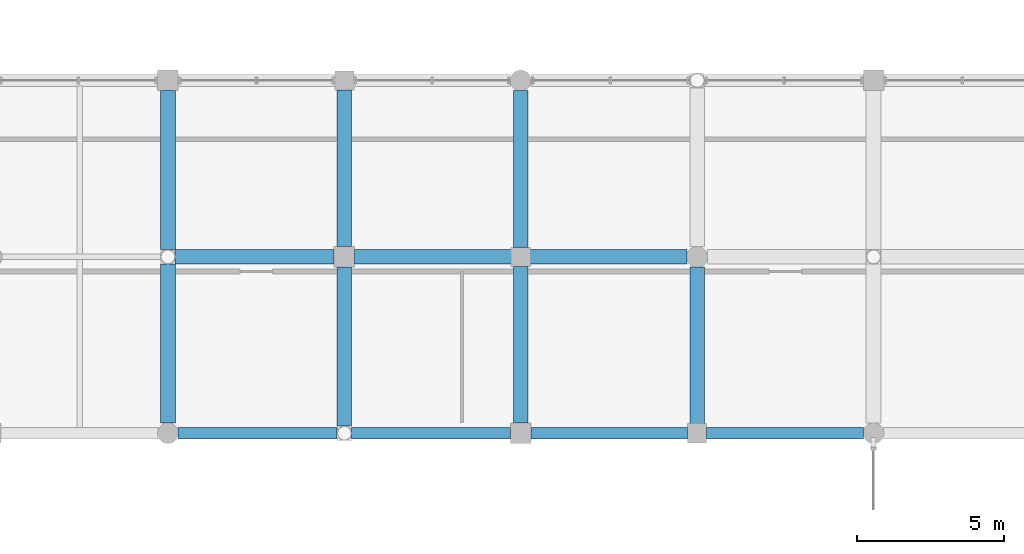
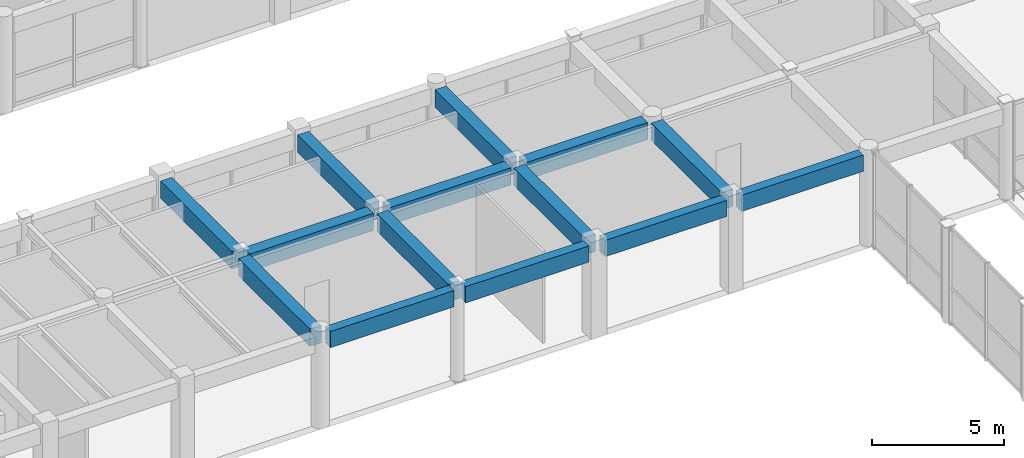
# One storey, part 29 of 116: 14 beams.
"""IFC4 building model written with IfcOpenShell, lengths in metres."""

from ifc_helpers import new_model, si_unit, direction, frame, origin, origin_2d, place, context, subcontext, project, spatial, rectangle, extrude, material, material_profile, profile_set, type_object, element, save


model = new_model("IFC4")

# Units and contexts
model_context = context("Model", 3, precision=1e-05, world=origin(), true_north=direction((0.0, 1.0)))
body_context = subcontext(model_context, "Body", "Model", "MODEL_VIEW")
ifc_project = project(units=[si_unit("LENGTHUNIT", "METRE"), si_unit("AREAUNIT", "SQUARE_METRE"), si_unit("VOLUMEUNIT", "CUBIC_METRE"), si_unit("PLANEANGLEUNIT", "RADIAN"), si_unit("MASSUNIT", "GRAM", prefix="KILO"), si_unit("THERMODYNAMICTEMPERATUREUNIT", "KELVIN"), si_unit("POWERUNIT", "WATT")], contexts=[model_context])

# Site, building, storey
site_placement = place(None, origin())
site = spatial("IfcSite", under=ifc_project, at=site_placement, CompositionType="ELEMENT")
building_placement = place(site_placement, origin())
building = spatial("IfcBuilding", under=site, at=building_placement, Name="Phaisarnlok Congress Hotel", CompositionType="ELEMENT")
storey_placement = place(building_placement, frame((0.0, 0.0, 10.5)))
storey = spatial("IfcBuildingStorey", under=building, at=storey_placement, Name="L02", CompositionType="ELEMENT", Elevation=10.5)

# Beams
ifc_material = material(Name="Concrete C40/50", Category="concrete")
ifc_material_profile_1 = material_profile(ifc_material, rectangle(XDim=0.5, YDim=0.800048828125, at=origin_2d()), Name="RC 500x800")
ifc_profile_set_1 = profile_set([ifc_material_profile_1], Name="Concrete C40/50")
beam_type_1 = type_object("IfcBeamType", Name="BM-RC-500x800", PredefinedType="BEAM", material=ifc_profile_set_1)
for number, where, z_axis, x_axis, name in (
    (1, (96.0, 84.344970703125, 3.840087890625), (0.0, 1.0, 0.0), (-1.0, 0.0, 0.0), "Beam B-04"),
    (2, (96.2490234375, 90.0, 3.860107421875), (1.0, 0.0, 0.0), (0.0, 1.0, 0.0), "Beam B-04"),
    (3, (96.0, 90.2490234375, 3.840087890625), (0.0, 1.0, 0.0), (-1.0, 0.0, 0.0), "Beam B-04"),
    (4, (102.0, 84.2490234375, 3.860107421875), (0.0, 1.0, 0.0), (-1.0, 0.0, 0.0), "Beam B-04"),
):
    element("IfcBeam", number, at=place(storey_placement, frame(where, z_axis=z_axis, x_axis=x_axis)), inside=storey, type_object=beam_type_1, Name=name, PredefinedType="BEAM", context=body_context, shape_type="SweptSolid", body=[
        extrude(rectangle(XDim=0.5, YDim=0.800048828125, at=origin_2d()), origin(), (0.0, 0.0, 1.0), 5.406005859375),
    ])
for number, where, z_axis, x_axis, name in (
    (5, (102.344970703125, 90.0, 3.860107421875), (1.0, 0.0, 0.0), (0.0, 1.0, 0.0), "Beam B-04"),
    (6, (102.0, 90.344970703125, 3.860107421875), (0.0, 1.0, 0.0), (-1.0, 0.0, 0.0), "Beam B-04"),
    (7, (108.0, 84.344970703125, 3.860107421875), (0.0, 1.0, 0.0), (-1.0, 0.0, 0.0), "Beam B-04"),
    (8, (108.320068359375, 90.0, 3.860107421875), (1.0, 0.0, 0.0), (0.0, 1.0, 0.0), "Beam B-04"),
    (9, (108.0, 90.320068359375, 3.860107421875), (0.0, 1.0, 0.0), (-1.0, 0.0, 0.0), "Beam B-04"),
    (10, (114.0, 84.320068359375, 3.860107421875), (0.0, 1.0, 0.0), (-1.0, 0.0, 0.0), "Beam B-04"),
):
    element("IfcBeam", number, at=place(storey_placement, frame(where, z_axis=z_axis, x_axis=x_axis)), inside=storey, type_object=beam_type_1, Name=name, PredefinedType="BEAM", context=body_context, shape_type="SweptSolid", body=[
        extrude(rectangle(XDim=0.5, YDim=0.800048828125, at=origin_2d()), origin(), (0.0, 0.0, 1.0), 5.3349609375),
    ])
ifc_material_profile_2 = material_profile(ifc_material, rectangle(XDim=0.39990234375, YDim=0.75, at=origin_2d()), Name="RC 400x750")
ifc_profile_set_2 = profile_set([ifc_material_profile_2], Name="Concrete C40/50")
beam_type_2 = type_object("IfcBeamType", Name="SP-RC-400x750", PredefinedType="SPANDREL", material=ifc_profile_set_2)
for number, where, z_axis, x_axis, name in (
    (11, (96.344970703125, 84.0, 3.885009765625), (1.0, 0.0, 0.0), (0.0, 1.0, 0.0), "Beam SP-02"),
    (12, (102.2490234375, 84.0, 3.885009765625), (1.0, 0.0, 0.0), (0.0, 1.0, 0.0), "Beam SP-02"),
):
    element("IfcBeam", number, at=place(storey_placement, frame(where, z_axis=z_axis, x_axis=x_axis)), inside=storey, type_object=beam_type_2, Name=name, PredefinedType="SPANDREL", context=body_context, shape_type="SweptSolid", body=[
        extrude(rectangle(XDim=0.39990234375, YDim=0.75, at=origin_2d()), origin(), (0.0, 0.0, 1.0), 5.406005859375),
    ])
for number, where, z_axis, x_axis, name in (
    (13, (108.344970703125, 84.0, 3.885009765625), (1.0, 0.0, 0.0), (0.0, 1.0, 0.0), "Beam SP-02"),
    (14, (114.320068359375, 84.0, 3.885009765625), (1.0, 0.0, 0.0), (0.0, 1.0, 0.0), "Beam SP-02"),
):
    element("IfcBeam", number, at=place(storey_placement, frame(where, z_axis=z_axis, x_axis=x_axis)), inside=storey, type_object=beam_type_2, Name=name, PredefinedType="SPANDREL", context=body_context, shape_type="SweptSolid", body=[
        extrude(rectangle(XDim=0.39990234375, YDim=0.75, at=origin_2d()), origin(), (0.0, 0.0, 1.0), 5.3349609375),
    ])

save(model, "model.ifc")
